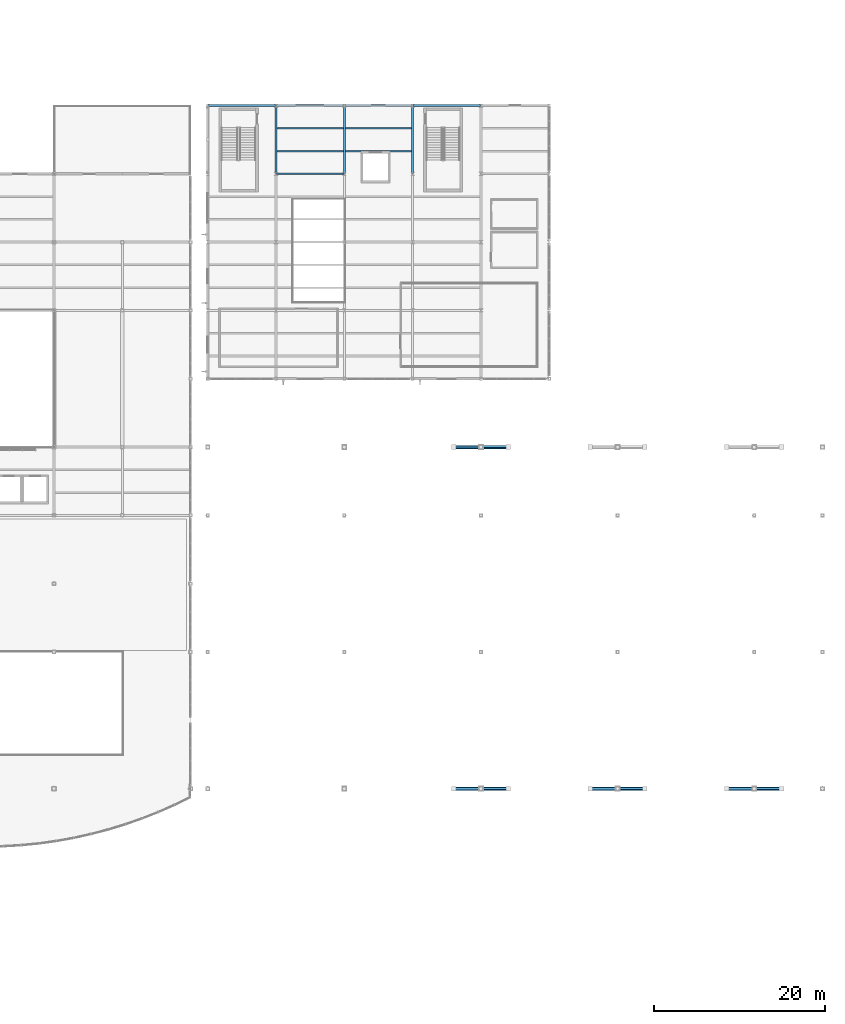
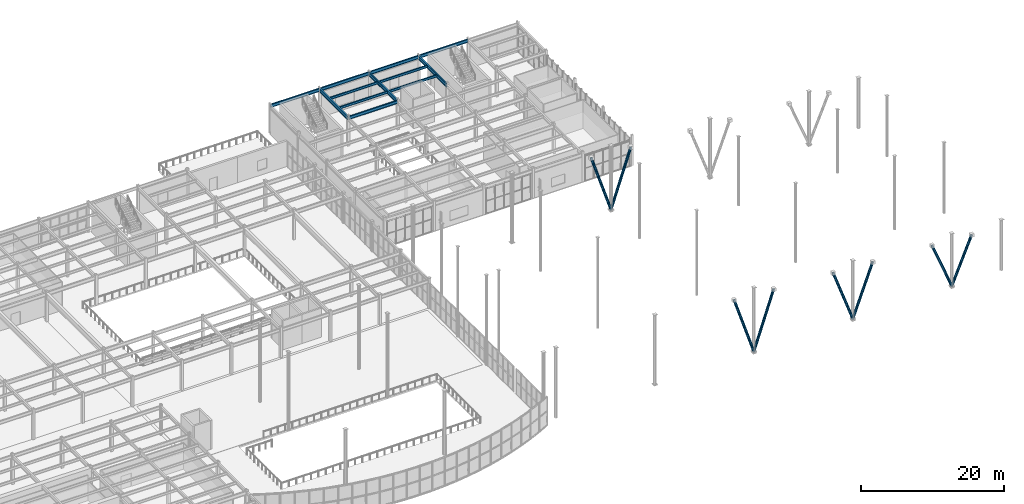
# One storey, part 42 of 77: 12 beams, 8 members.
"""IFC4 building model written with IfcOpenShell, lengths in metres."""

from ifc_helpers import new_model, si_unit, direction, frame, origin, origin_2d, place, context, subcontext, project, spatial, hollow_circle, i_section, extrude, material, material_profile, profile_set, type_object, element, save


model = new_model("IFC4")

# Units and contexts
model_context = context("Model", 3, precision=1e-05, world=origin(), true_north=direction((0.0, 1.0)))
body_context = subcontext(model_context, "Body", "Model", "MODEL_VIEW")
ifc_project = project(units=[si_unit("LENGTHUNIT", "METRE"), si_unit("AREAUNIT", "SQUARE_METRE"), si_unit("VOLUMEUNIT", "CUBIC_METRE"), si_unit("PLANEANGLEUNIT", "RADIAN"), si_unit("MASSUNIT", "GRAM", prefix="KILO")], contexts=[model_context])

# Site, building, storey
site_placement = place(None, origin())
site = spatial("IfcSite", under=ifc_project, at=site_placement, CompositionType="ELEMENT")
building_placement = place(site_placement, origin())
building = spatial("IfcBuilding", under=site, at=building_placement, Name="Drelvath Fold Interchange", CompositionType="ELEMENT")
storey_placement = place(building_placement, frame((0.0, 0.0, 6.0)))
storey = spatial("IfcBuildingStorey", under=building, at=storey_placement, Name="L01", CompositionType="ELEMENT", Elevation=6.0)

# Beams
ifc_material_1 = material(Name="Steel ASTM A992 Grade 50", Category="steel")
ifc_material_profile_1 = material_profile(ifc_material_1, i_section(OverallWidth=0.177978515625, OverallDepth=0.403076171875, WebThickness=0.007568359375, FlangeThickness=0.010986328125, at=origin_2d()), Name="W16X36")
ifc_profile_set_1 = profile_set([ifc_material_profile_1], Name="Steel ASTM A992 Grade 50")
beam_type_1 = type_object("IfcBeamType", Name="BM-W16X36", PredefinedType="JOIST", material=ifc_profile_set_1)
for number, where, z_axis, x_axis, name in (
    (1, (110.113037109375, 101.6669921875, 4.748046875), (1.0, 0.0, 0.0), (0.0, 1.0, 0.0), "L01 Secondary floor joist BM-W16X36"),
    (2, (110.113037109375, 104.3330078125, 4.748046875), (1.0, 0.0, 0.0), (0.0, 1.0, 0.0), "L01 Secondary floor joist BM-W16X36"),
    (3, (118.113037109375, 101.6669921875, 4.748046875), (1.0, 0.0, 0.0), (0.0, 1.0, 0.0), "L01 Secondary floor joist BM-W16X36"),
    (4, (118.113037109375, 104.3330078125, 4.748046875), (1.0, 0.0, 0.0), (0.0, 1.0, 0.0), "L01 Secondary floor joist BM-W16X36"),
):
    element("IfcBeam", number, at=place(storey_placement, frame(where, z_axis=z_axis, x_axis=x_axis)), inside=storey, type_object=beam_type_1, Name=name, PredefinedType="JOIST", context=body_context, shape_type="SweptSolid", body=[
        extrude(i_section(OverallWidth=0.177978515625, OverallDepth=0.403076171875, WebThickness=0.007568359375, FlangeThickness=0.010986328125, at=origin_2d()), origin(), (0.0, 0.0, 1.0), 7.77392578125),
    ])
ifc_material_profile_2 = material_profile(ifc_material_1, i_section(OverallWidth=0.2099609375, OverallDepth=0.537109375, WebThickness=0.010986328125, FlangeThickness=0.017333984375, at=origin_2d()), Name="W21X68")
ifc_profile_set_2 = profile_set([ifc_material_profile_2], Name="Steel ASTM A992 Grade 50")
beam_type_2 = type_object("IfcBeamType", Name="BM-W21X68", PredefinedType="SPANDREL", material=ifc_profile_set_2)
for number, where, z_axis, x_axis, name in (
    (5, (110.06005859375, 99.0, 4.680908203125), (1.0, 0.0, 0.0), (0.0, 1.0, 0.0), "L01 Primary X girder BM-W21X68"),
    (6, (102.06005859375, 107.0, 4.680908203125), (1.0, 0.0, 0.0), (0.0, 1.0, 0.0), "L01 Primary X girder BM-W21X68"),
    (7, (110.06005859375, 107.0, 4.680908203125), (1.0, 0.0, 0.0), (0.0, 1.0, 0.0), "L01 Primary X girder BM-W21X68"),
    (8, (118.06005859375, 107.0, 4.680908203125), (1.0, 0.0, 0.0), (0.0, 1.0, 0.0), "L01 Primary X girder BM-W21X68"),
    (9, (126.06005859375, 107.0, 4.680908203125), (1.0, 0.0, 0.0), (0.0, 1.0, 0.0), "L01 Primary X girder BM-W21X68"),
):
    element("IfcBeam", number, at=place(storey_placement, frame(where, z_axis=z_axis, x_axis=x_axis)), inside=storey, type_object=beam_type_2, Name=name, PredefinedType="SPANDREL", context=body_context, shape_type="SweptSolid", body=[
        extrude(i_section(OverallWidth=0.2099609375, OverallDepth=0.537109375, WebThickness=0.010986328125, FlangeThickness=0.017333984375, at=origin_2d()), origin(), (0.0, 0.0, 1.0), 7.8798828125),
    ])
ifc_material_profile_3 = material_profile(ifc_material_1, i_section(OverallWidth=0.22998046875, OverallDepth=0.616943359375, WebThickness=0.01318359375, FlangeThickness=0.022216796875, at=origin_2d()), Name="W24X94")
ifc_profile_set_3 = profile_set([ifc_material_profile_3], Name="Steel ASTM A992 Grade 50")
beam_type_3 = type_object("IfcBeamType", Name="BM-W24X94", PredefinedType="BEAM", material=ifc_profile_set_3)
for number, where, z_axis, x_axis, name in (
    (10, (110.0, 99.06005859375, 4.64111328125), (0.0, 1.0, 0.0), (-1.0, 0.0, 0.0), "L01 Primary Y girder BM-W24X94"),
    (11, (118.0, 99.06005859375, 4.64111328125), (0.0, 1.0, 0.0), (-1.0, 0.0, 0.0), "L01 Primary Y girder BM-W24X94"),
    (12, (126.0, 99.06005859375, 4.64111328125), (0.0, 1.0, 0.0), (-1.0, 0.0, 0.0), "L01 Primary Y girder BM-W24X94"),
):
    element("IfcBeam", number, at=place(storey_placement, frame(where, z_axis=z_axis, x_axis=x_axis)), inside=storey, type_object=beam_type_3, Name=name, PredefinedType="BEAM", context=body_context, shape_type="SweptSolid", body=[
        extrude(i_section(OverallWidth=0.22998046875, OverallDepth=0.616943359375, WebThickness=0.01318359375, FlangeThickness=0.022216796875, at=origin_2d()), origin(), (0.0, 0.0, 1.0), 7.8798828125),
    ])

# Members
ifc_material_2 = material(Name="Steel ASTM A500 Grade C", Category="steel")
ifc_material_profile_4 = material_profile(ifc_material_2, hollow_circle(Radius=0.202880859375, WallThickness=0.014892578125, at=origin_2d()), Name="HSS16.000X0.625")
ifc_profile_set_4 = profile_set([ifc_material_profile_4], Name="Steel ASTM A500 Grade C")
member_type = type_object("IfcMemberType", Name="ST-VST406", PredefinedType="STRUT", material=ifc_profile_set_4)
member_1_placement = place(storey_placement, frame((134.0, 27.0, 0.050048828125), z_axis=(-0.307082869973, 0.0, 0.95168277854), x_axis=(0.0, -1.0, 0.0)))
element("IfcMember", 13, at=member_1_placement, inside=storey, type_object=member_type, Name="L01 Canopy inclined V-strut ST-VST406", PredefinedType="STRUT", context=body_context, shape_type="SweptSolid", body=[
    extrude(hollow_circle(Radius=0.202880859375, WallThickness=0.014892578125, at=origin_2d()), origin(), (0.0, 0.0, 1.0), 10.42041015625),
])
member_2_placement = place(storey_placement, frame((134.0, 27.0, 0.050048828125), z_axis=(0.318252087473, 0.0, 0.948006122775), x_axis=(0.0, 1.0, 0.0)))
element("IfcMember", 14, at=member_2_placement, inside=storey, type_object=member_type, Name="L01 Canopy inclined V-strut ST-VST406", PredefinedType="STRUT", context=body_context, shape_type="SweptSolid", body=[
    extrude(hollow_circle(Radius=0.202880859375, WallThickness=0.014892578125, at=origin_2d()), origin(), (0.0, 0.0, 1.0), 10.0546875),
])
member_3_placement = place(storey_placement, frame((134.0, 67.0, 0.050048828125), z_axis=(-0.307082869973, 0.0, 0.95168277854), x_axis=(0.0, -1.0, 0.0)))
element("IfcMember", 15, at=member_3_placement, inside=storey, type_object=member_type, Name="L01 Canopy inclined V-strut ST-VST406", PredefinedType="STRUT", context=body_context, shape_type="SweptSolid", body=[
    extrude(hollow_circle(Radius=0.202880859375, WallThickness=0.014892578125, at=origin_2d()), origin(), (0.0, 0.0, 1.0), 10.42041015625),
])
member_4_placement = place(storey_placement, frame((134.0, 67.0, 0.050048828125), z_axis=(0.318252087473, 0.0, 0.948006122775), x_axis=(0.0, 1.0, 0.0)))
element("IfcMember", 16, at=member_4_placement, inside=storey, type_object=member_type, Name="L01 Canopy inclined V-strut ST-VST406", PredefinedType="STRUT", context=body_context, shape_type="SweptSolid", body=[
    extrude(hollow_circle(Radius=0.202880859375, WallThickness=0.014892578125, at=origin_2d()), origin(), (0.0, 0.0, 1.0), 10.0546875),
])
member_5_placement = place(storey_placement, frame((150.0, 27.0, 0.050048828125), z_axis=(-0.33650390903, 0.0, 0.94168206907), x_axis=(0.0, -1.0, 0.0)))
element("IfcMember", 17, at=member_5_placement, inside=storey, type_object=member_type, Name="L01 Canopy inclined V-strut ST-VST406", PredefinedType="STRUT", context=body_context, shape_type="SweptSolid", body=[
    extrude(hollow_circle(Radius=0.202880859375, WallThickness=0.014892578125, at=origin_2d()), origin(), (0.0, 0.0, 1.0), 9.509521484375),
])
member_6_placement = place(storey_placement, frame((150.0, 27.0, 0.050048828125), z_axis=(0.349798200758, 0.0, 0.936825073718), x_axis=(0.0, 1.0, 0.0)))
element("IfcMember", 18, at=member_6_placement, inside=storey, type_object=member_type, Name="L01 Canopy inclined V-strut ST-VST406", PredefinedType="STRUT", context=body_context, shape_type="SweptSolid", body=[
    extrude(hollow_circle(Radius=0.202880859375, WallThickness=0.014892578125, at=origin_2d()), origin(), (0.0, 0.0, 1.0), 9.14794921875),
])
member_7_placement = place(storey_placement, frame((166.0, 27.0, 0.050048828125), z_axis=(-0.371708477015, 0.0, 0.928349507521), x_axis=(0.0, -1.0, 0.0)))
element("IfcMember", 19, at=member_7_placement, inside=storey, type_object=member_type, Name="L01 Canopy inclined V-strut ST-VST406", PredefinedType="STRUT", context=body_context, shape_type="SweptSolid", body=[
    extrude(hollow_circle(Radius=0.202880859375, WallThickness=0.014892578125, at=origin_2d()), origin(), (0.0, 0.0, 1.0), 8.60888671875),
])
member_8_placement = place(storey_placement, frame((166.0, 27.0, 0.050048828125), z_axis=(0.387709177534, 0.0, 0.92178174947), x_axis=(0.0, 1.0, 0.0)))
element("IfcMember", 20, at=member_8_placement, inside=storey, type_object=member_type, Name="L01 Canopy inclined V-strut ST-VST406", PredefinedType="STRUT", context=body_context, shape_type="SweptSolid", body=[
    extrude(hollow_circle(Radius=0.202880859375, WallThickness=0.014892578125, at=origin_2d()), origin(), (0.0, 0.0, 1.0), 8.25341796875),
])

save(model, "model.ifc")
